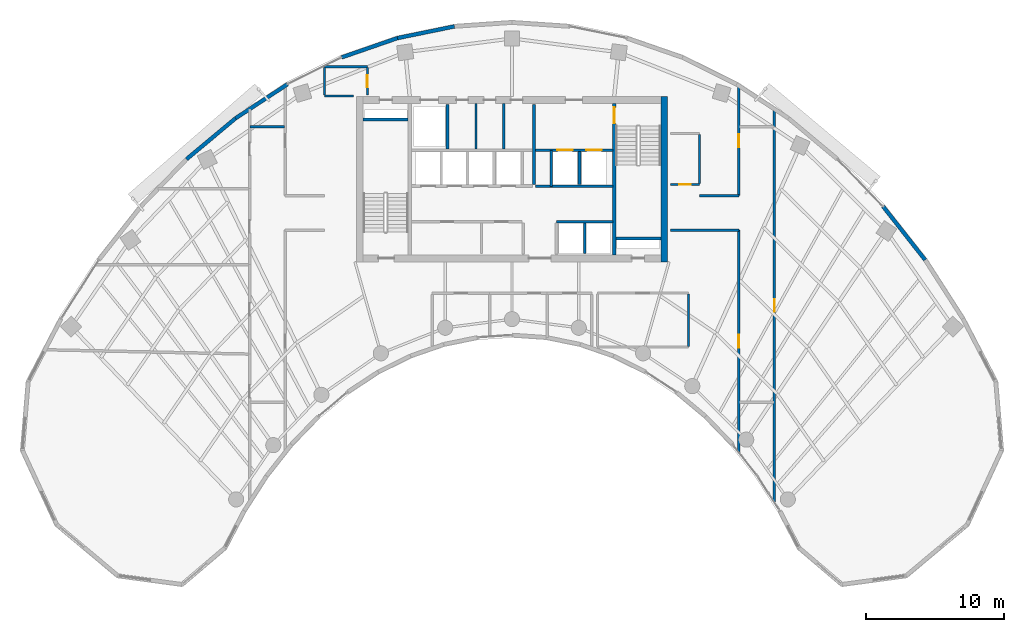
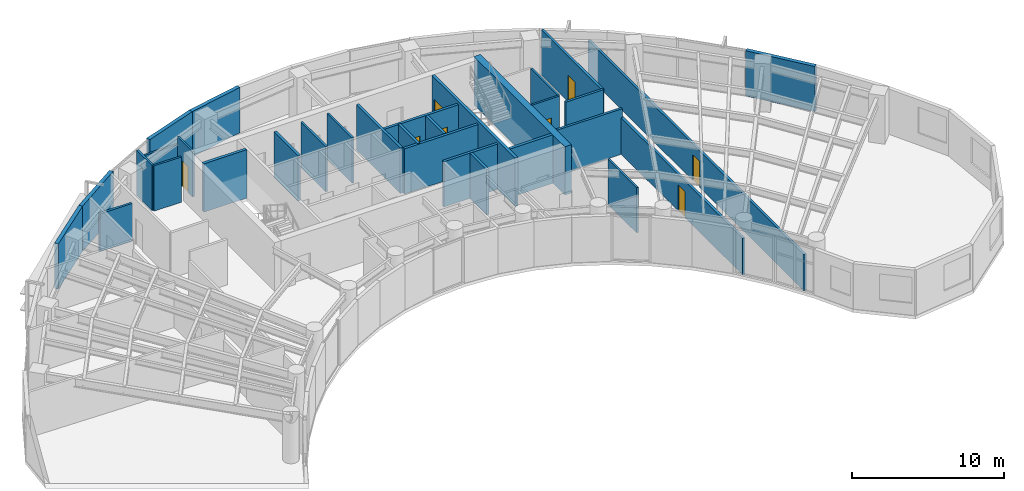
# One storey, part 9 of 13: 32 walls, 8 doors, 8 openings.
"""IFC4 building model written with IfcOpenShell, lengths in metres."""

import ifcopenshell
import ifcopenshell.guid

model = None  # the IFC model being written
_history = None  # IfcOwnerHistory: only IFC2X3 demands one
_inside = {}  # id of a spatial element -> (the spatial element, [elements in it])
_under = {}  # id of a project, library or spatial element -> (it, [spatial elements below it])
_declared = {}  # id of a project -> (the project, [libraries it declares])
_typed = {}  # id of a type object -> (the type object, [elements of that type])
_made_of = {}  # id of a material, layer set ... -> (it, [elements and type objects made of it])


def new_model(schema):
    """Start an empty IFC model of exactly this schema.

    Asked for "IFC4X3", IfcOpenShell would pick the latest addendum, in which some entities
    have other attributes; the version numbers below select the first issue.
    IFC2X3 requires an IfcOwnerHistory on every rooted entity: one is made here for all.
    """
    global model, _history
    if schema == "IFC4X3":
        model = ifcopenshell.file(schema_version=(4, 3, 0, 0))
    else:
        model = ifcopenshell.file(schema=schema)
    _inside.clear()
    _under.clear()
    _declared.clear()
    _typed.clear()
    _made_of.clear()
    _history = None
    if model.schema == "IFC2X3":
        org = make("IfcOrganization", Name="unknown")
        user = make(
            "IfcPersonAndOrganization",
            ThePerson=make("IfcPerson", FamilyName="unknown"),
            TheOrganization=org,
        )
        app = make(
            "IfcApplication",
            ApplicationDeveloper=org,
            Version="unknown",
            ApplicationFullName="unknown",
            ApplicationIdentifier="unknown",
        )
        _history = make(
            "IfcOwnerHistory",
            OwningUser=user,
            OwningApplication=app,
            ChangeAction="ADDED",
            CreationDate=0,
        )
    return model


def make(cls, **values):
    """One entity of the class cls with the attributes given. An attribute that is None is left unset."""
    return model.create_entity(
        cls, **{name: value for name, value in values.items() if value is not None}
    )


def rooted(cls, **values):
    """An entity with a GlobalId (a new one), such as an element, a storey or a relation."""
    return make(cls, GlobalId=ifcopenshell.guid.new(), OwnerHistory=_history, **values)


def si_unit(unit_type, name, prefix=None):
    """IfcSIUnit, for example si_unit("LENGTHUNIT", "METRE", prefix="MILLI")."""
    return make("IfcSIUnit", UnitType=unit_type, Prefix=prefix, Name=name)


def assignment(units):
    """IfcUnitAssignment: the units of a project."""
    return None if units is None else make("IfcUnitAssignment", Units=units)


def point(xyz):
    """IfcCartesianPoint."""
    return None if xyz is None else make("IfcCartesianPoint", Coordinates=xyz)


def direction(xyz):
    """IfcDirection."""
    return None if xyz is None else make("IfcDirection", DirectionRatios=xyz)


def frame(location, z_axis=None, x_axis=None):
    """IfcAxis2Placement3D, a coordinate frame: its origin and axes. An axis left out is left unset."""
    return make(
        "IfcAxis2Placement3D",
        Location=point(location),
        Axis=direction(z_axis),
        RefDirection=direction(x_axis),
    )


def frame_2d(location, x_axis=None):
    """IfcAxis2Placement2D, a coordinate frame in the plane: its origin and x axis."""
    return make(
        "IfcAxis2Placement2D", Location=point(location), RefDirection=direction(x_axis)
    )


def origin():
    """The frame at (0, 0, 0) with its axes left unset."""
    return frame((0.0, 0.0, 0.0))


def place(relative_to, where):
    """IfcLocalPlacement: puts the frame where relative to a parent placement (None: the world)."""
    return make(
        "IfcLocalPlacement", PlacementRelTo=relative_to, RelativePlacement=where
    )


def context(
    kind, dimensions, precision=None, world=None, true_north=None, identifier=None
):
    """IfcGeometricRepresentationContext, for example the 3D "Model" context."""
    return make(
        "IfcGeometricRepresentationContext",
        ContextIdentifier=identifier,
        ContextType=kind,
        CoordinateSpaceDimension=dimensions,
        Precision=precision,
        WorldCoordinateSystem=world,
        TrueNorth=true_north,
    )


def subcontext(parent, identifier, kind, view, scale=None):
    """IfcGeometricRepresentationSubContext, for example "Body" below "Model"."""
    return make(
        "IfcGeometricRepresentationSubContext",
        ContextIdentifier=identifier,
        ContextType=kind,
        ParentContext=parent,
        TargetScale=scale,
        TargetView=view,
    )


def project(units=None, contexts=None):
    """IfcProject with its units and contexts."""
    return rooted(
        "IfcProject",
        Name="project",
        RepresentationContexts=contexts,
        UnitsInContext=assignment(units),
    )


def spatial(cls, under=None, at=None, **own):
    """A site, building, storey or space (cls), placed at a placement, below another one or the project."""
    s = rooted(cls, ObjectPlacement=at, **own)
    if under is not None:
        _under.setdefault(under.id(), (under, []))[1].append(s)
    return s


def profile(cls, at=None, kind="AREA", **sizes):
    """A parametric profile (cls). Its sizes go by their IFC names, for example OverallWidth=200.0."""
    return make(cls, ProfileType=kind, Position=at, **sizes)


def rectangle(**sizes):
    """IfcRectangleProfileDef."""
    return profile("IfcRectangleProfileDef", **sizes)


def extrude(swept, where, along, depth):
    """IfcExtrudedAreaSolid: the profile swept, set in the frame where, extruded along a direction by depth."""
    return make(
        "IfcExtrudedAreaSolid",
        SweptArea=swept,
        Position=where,
        ExtrudedDirection=direction(along),
        Depth=depth,
    )


def shape(context_of_items, identifier, shape_type, items):
    """IfcShapeRepresentation: the items that make up one representation, for example the "Body"."""
    return make(
        "IfcShapeRepresentation",
        ContextOfItems=context_of_items,
        RepresentationIdentifier=identifier,
        RepresentationType=shape_type,
        Items=items,
    )


def source(mapping_origin, context_of_items, identifier, shape_type, items):
    """IfcRepresentationMap: a shape defined once, which mapped items show again and again."""
    return make(
        "IfcRepresentationMap",
        MappingOrigin=mapping_origin,
        MappedRepresentation=shape(context_of_items, identifier, shape_type, items),
    )


def transform(
    local_origin,
    x_axis=None,
    y_axis=None,
    z_axis=None,
    scale=None,
    scale2=None,
    scale3=None,
    uniform=True,
):
    """IfcCartesianTransformationOperator3D, or its non-uniform kind. x_axis, y_axis, z_axis: its Axis1, 2, 3."""
    if uniform:
        return make(
            "IfcCartesianTransformationOperator3D",
            Axis1=direction(x_axis),
            Axis2=direction(y_axis),
            LocalOrigin=point(local_origin),
            Scale=scale,
            Axis3=direction(z_axis),
        )
    return make(
        "IfcCartesianTransformationOperator3DnonUniform",
        Axis1=direction(x_axis),
        Axis2=direction(y_axis),
        LocalOrigin=point(local_origin),
        Scale=scale,
        Axis3=direction(z_axis),
        Scale2=scale2,
        Scale3=scale3,
    )


def mapped(mapping_source, mapping_target):
    """IfcMappedItem: shows the shape of a source again, moved by a transform."""
    return make(
        "IfcMappedItem", MappingSource=mapping_source, MappingTarget=mapping_target
    )


def material(Name=None, Category=None):
    """IfcMaterial."""
    return make("IfcMaterial", Name=Name, Category=Category)


def layer(
    of_material, thickness, ventilated=None, Name=None, Category=None, Priority=None
):
    """IfcMaterialLayer: one layer of a wall or slab, of a material (None: an air gap)."""
    return make(
        "IfcMaterialLayer",
        Material=of_material,
        LayerThickness=thickness,
        IsVentilated=ventilated,
        Name=Name,
        Category=Category,
        Priority=Priority,
    )


def layer_set(layers, Name=None):
    """IfcMaterialLayerSet."""
    return make("IfcMaterialLayerSet", MaterialLayers=layers, LayerSetName=Name)


def made_of(thing, what):
    """Note that an element or type object is made of a material, layer set ...; save() writes the relation."""
    if what is not None:
        _made_of.setdefault(what.id(), (what, []))[1].append(thing)
    return thing


def type_object(cls, material=None, **own):
    """A type object (cls), such as IfcWallType, which elements share."""
    return made_of(rooted(cls, **own), material)


def type_shapes(of_type, sources):
    """Give a type object the sources (RepresentationMaps) that its elements show as mapped items."""
    of_type.RepresentationMaps = sources


def element(
    cls,
    number,
    at=None,
    inside=None,
    cuts=None,
    type_object=None,
    material=None,
    context=None,
    identifier="Body",
    shape_type=None,
    held_by="IfcProductDefinitionShape",
    body=None,
    shapes=None,
    **own,
):
    """One element of the class cls, such as IfcWall. Its Tag is "e" and its number.

    at: its placement. inside: the storey or other place that contains it. cuts: it is an
    opening in that element (IfcRelVoidsElement). A single representation is given by context,
    identifier, shape_type and body (its items); several are given by shapes. held_by: the class
    of the entity that holds the representations. save() writes the other relations.
    """
    e = rooted(cls, Tag="e%d" % number, ObjectPlacement=at, **own)
    if body is not None:
        shapes = [shape(context, identifier, shape_type, body)]
    if shapes is not None:
        e.Representation = make(held_by, Representations=shapes)
    if inside is not None:
        _inside.setdefault(inside.id(), (inside, []))[1].append(e)
    if cuts is not None:
        rooted(
            "IfcRelVoidsElement", RelatingBuildingElement=cuts, RelatedOpeningElement=e
        )
    if type_object is not None:
        _typed.setdefault(type_object.id(), (type_object, []))[1].append(e)
    return made_of(e, material)


def fill(opening, filler):
    """IfcRelFillsElement: the door or window that sits in an opening."""
    return rooted(
        "IfcRelFillsElement",
        RelatingOpeningElement=opening,
        RelatedBuildingElement=filler,
    )


def aggregate(whole, parts):
    """IfcRelAggregates: a whole, such as a stair, and the parts it consists of."""
    return rooted("IfcRelAggregates", RelatingObject=whole, RelatedObjects=parts)


def save(model, path):
    """Write the relations noted so far, then the file.

    IfcRelAggregates (storeys below a building ...), IfcRelContainedInSpatialStructure (elements
    in a storey), IfcRelDefinesByType, IfcRelAssociatesMaterial and IfcRelDeclares: one each for
    every whole, place, type object, material and project.
    """
    for whole, parts in _under.values():
        aggregate(whole, parts)
    for where, things in _inside.values():
        rooted(
            "IfcRelContainedInSpatialStructure",
            RelatedElements=things,
            RelatingStructure=where,
        )
    for kind, things in _typed.values():
        rooted("IfcRelDefinesByType", RelatedObjects=things, RelatingType=kind)
    for what, things in _made_of.values():
        rooted("IfcRelAssociatesMaterial", RelatedObjects=things, RelatingMaterial=what)
    for by, libraries in _declared.values():
        rooted("IfcRelDeclares", RelatingContext=by, RelatedDefinitions=libraries)
    model.write(path)


model = new_model("IFC4")

# Units and contexts
model_context = context("Model", 3, precision=1e-05, world=origin(), true_north=direction((0.0, 1.0)))
body_context = subcontext(model_context, "Body", "Model", "MODEL_VIEW")
ifc_project = project(units=[si_unit("LENGTHUNIT", "METRE"), si_unit("AREAUNIT", "SQUARE_METRE"), si_unit("VOLUMEUNIT", "CUBIC_METRE"), si_unit("PLANEANGLEUNIT", "RADIAN"), si_unit("MASSUNIT", "GRAM", prefix="KILO")], contexts=[model_context])

# Site, building, storey
site_placement = place(None, origin())
site = spatial("IfcSite", under=ifc_project, at=site_placement, CompositionType="ELEMENT")
building_placement = place(site_placement, origin())
building = spatial("IfcBuilding", under=site, at=building_placement, Name="Breltana Convention Tower", CompositionType="ELEMENT")
storey_placement = place(building_placement, frame((0.0, 0.0, 174.0)))
storey = spatial("IfcBuildingStorey", under=building, at=storey_placement, Name="L42", CompositionType="ELEMENT", Elevation=174.0)

# Walls
ifc_material_1 = material(Name="Concrete C60/75", Category="concrete")
ifc_layer_1 = layer(ifc_material_1, 0.5, Name="Concrete C60/75")
ifc_layer_set_1 = layer_set([ifc_layer_1], Name="Concrete C60/75")
wall_type_1 = type_object("IfcWallType", Name="SW-CORE-500", PredefinedType="SHEAR", material=ifc_layer_set_1)
shared_shape_1 = source(origin(), body_context, "Body", "SweptSolid", [
    extrude(rectangle(XDim=12.0, YDim=0.5, at=frame_2d((6.0, 0.0))), origin(), (0.0, 0.0, 1.0), 3.89990234375),
])
wall_1_placement = place(storey_placement, frame((59.050048828125, 60.199951171875, 0.0), z_axis=(0.0, 0.0, 1.0), x_axis=(0.0, 1.0, 0.0)))
element("IfcWall", 1, at=wall_1_placement, inside=storey, type_object=wall_type_1, Name="L42 East Core Shear Wall", PredefinedType="SHEAR", context=body_context, shape_type="MappedRepresentation", body=[
    mapped(shared_shape_1, transform((0.0, 0.0, 0.0), scale=1.0)),
])
ifc_material_2 = material(Name="Concrete C50/60", Category="concrete")
ifc_layer_2 = layer(ifc_material_2, 0.39990234375, Name="Concrete C50/60")
ifc_layer_set_2 = layer_set([ifc_layer_2], Name="Concrete C50/60")
wall_type_2 = type_object("IfcWallType", Name="SW-CORE-400", PredefinedType="SHEAR", material=ifc_layer_set_2)
shared_shape_2 = source(origin(), body_context, "Body", "SweptSolid", [
    extrude(rectangle(XDim=3.27001953125, YDim=0.219970703125, at=frame_2d((1.635009765625, 0.0))), origin(), (0.0, 0.0, 1.0), 3.89990234375),
])
for number, where, z_axis, x_axis, name in (
    (2, (37.199951171875, 70.510009765625, 0.0), (0.0, 0.0, 1.0), (1.0, 0.0, 0.0), "L42 ST-1 Stairwell North Bearing Wall"),
    (3, (55.530029296875, 61.889892578125, 0.0), (0.0, 0.0, 1.0), (1.0, 0.0, 0.0), "L42 ST-2 Stairwell South Bearing Wall"),
):
    element("IfcWall", number, at=place(storey_placement, frame(where, z_axis=z_axis, x_axis=x_axis)), inside=storey, type_object=wall_type_2, Name=name, PredefinedType="SHEAR", context=body_context, shape_type="MappedRepresentation", body=[
        mapped(shared_shape_2, transform((0.0, 0.0, 0.0), scale=1.0)),
    ])

# Wall, opening, door
shared_shape_3 = source(origin(), body_context, "Body", "SweptSolid", [
    extrude(rectangle(XDim=11.0, YDim=0.219970703125, at=frame_2d((5.5, 0.0))), origin(), (0.0, 0.0, 1.0), 3.89990234375),
])
wall_2_placement = place(storey_placement, frame((55.419921875, 60.699951171875, 0.0), z_axis=(0.0, 0.0, 1.0), x_axis=(0.0, 1.0, 0.0)))
wall_2 = element("IfcWall", 4, at=wall_2_placement, inside=storey, type_object=wall_type_2, Name="L42 Core East Stair Spine Wall", PredefinedType="SHEAR", context=body_context, shape_type="MappedRepresentation", body=[
    mapped(shared_shape_3, transform((0.0, 0.0, 0.0), scale=1.0)),
])
opening_1_placement = place(wall_2_placement, frame((9.544921875, 0.0, 0.0)))
opening_1 = element("IfcOpeningElement", 5, at=opening_1_placement, cuts=wall_2, Name="Opening D-11", PredefinedType="OPENING", context=body_context, shape_type="SweptSolid", body=[
    extrude(rectangle(XDim=1.14990234375, YDim=2.14990234375, at=frame_2d((0.574951171875, 1.074951171875))), frame((0.0, 0.1201171875, 0.0), z_axis=(0.0, -1.0, 0.0), x_axis=(1.0, 0.0, 0.0)), (0.0, 0.0, 1.0), 0.239990234375),
])
ifc_material_3 = material(Name="Steel Stair Exit Door", Category="steel")
door_type_1 = type_object("IfcDoorType", Name="DR-FD120-1150", OperationType="NOTDEFINED", PredefinedType="DOOR", material=ifc_material_3)
shared_shape_4 = source(origin(), body_context, "Body", "SweptSolid", [
    extrude(rectangle(XDim=1.14990234375, YDim=2.14990234375, at=frame_2d((0.574951171875, 1.074951171875))), frame((0.0, 0.02490234375, 0.0), z_axis=(0.0, -1.0, 0.0), x_axis=(1.0, 0.0, 0.0)), (0.0, 0.0, 1.0), 0.050048828125),
])
type_shapes(door_type_1, [shared_shape_4])
door_1_placement = place(opening_1_placement, origin())
door_1 = element("IfcDoor", 6, at=door_1_placement, inside=storey, type_object=door_type_1, Name="L42 interior door D-L42-ST2", OperationType="SINGLE_SWING_LEFT", OverallHeight=2.14990234375, OverallWidth=1.14990234375, PredefinedType="DOOR", context=body_context, shape_type="MappedRepresentation", body=[
    mapped(shared_shape_4, transform((0.0, 0.0, 0.0), scale=1.0)),
])
fill(opening_1, door_1)

# Walls
ifc_material_4 = material(Name="Limestone Buff Insulated Wall", Category="masonry")
ifc_layer_3 = layer(ifc_material_4, 0.280029296875, Name="Limestone Buff Insulated Wall")
ifc_layer_set_3 = layer_set([ifc_layer_3], Name="Limestone Buff Insulated Wall")
wall_type_3 = type_object("IfcWallType", Name="WL-EXT-NOSE-280", PredefinedType="SOLIDWALL", material=ifc_layer_set_3)
shared_shape_5 = source(origin(), body_context, "Body", "SweptSolid", [
    extrude(rectangle(XDim=4.921630859375, YDim=0.280029296875, at=frame_2d((2.4609375, 0.0))), origin(), (0.0, 0.0, 1.0), 3.64990234375),
])
wall_3_placement = place(storey_placement, frame((74.936279296875, 64.206298828125, 0.0), z_axis=(0.0, 0.0, 1.0), x_axis=(0.61817639101, -0.786039407153, 0.0)))
element("IfcWall", 7, at=wall_3_placement, inside=storey, type_object=wall_type_3, Name="L42 curved limestone nose wall E32", PredefinedType="SOLIDWALL", context=body_context, shape_type="MappedRepresentation", body=[
    mapped(shared_shape_5, transform((0.0, 0.0, 0.0), scale=1.0)),
])
shared_shape_6 = source(origin(), body_context, "Body", "SweptSolid", [
    extrude(rectangle(XDim=4.633544921875, YDim=0.280029296875, at=frame_2d((2.31689453125, 0.0))), origin(), (0.0, 0.0, 1.0), 3.64990234375),
])
wall_4_placement = place(storey_placement, frame((24.381103515625, 67.64208984375, 0.0), z_axis=(0.0, 0.0, 1.0), x_axis=(0.767910229096, 0.640557475993, 0.0)))
element("IfcWall", 8, at=wall_4_placement, inside=storey, type_object=wall_type_3, Name="L42 curved limestone nose wall E22", PredefinedType="SOLIDWALL", context=body_context, shape_type="MappedRepresentation", body=[
    mapped(shared_shape_6, transform((0.0, 0.0, 0.0), scale=1.0)),
])
shared_shape_7 = source(origin(), body_context, "Body", "SweptSolid", [
    extrude(rectangle(XDim=4.500732421875, YDim=0.280029296875, at=frame_2d((2.25048828125, 0.0))), origin(), (0.0, 0.0, 1.0), 3.64990234375),
])
wall_5_placement = place(storey_placement, frame((27.939208984375, 70.610107421875, 0.0), z_axis=(0.0, 0.0, 1.0), x_axis=(0.835984920737, 0.548752414391, 0.0)))
element("IfcWall", 9, at=wall_5_placement, inside=storey, type_object=wall_type_3, Name="L42 curved limestone nose wall E23", PredefinedType="SOLIDWALL", context=body_context, shape_type="MappedRepresentation", body=[
    mapped(shared_shape_7, transform((0.0, 0.0, 0.0), scale=1.0)),
])
shared_shape_8 = source(origin(), body_context, "Body", "SweptSolid", [
    extrude(rectangle(XDim=4.289794921875, YDim=0.280029296875, at=frame_2d((2.14501953125, 0.0))), origin(), (0.0, 0.0, 1.0), 3.64990234375),
])
wall_6_placement = place(storey_placement, frame((35.629638671875, 75.02685546875, 0.0), z_axis=(0.0, 0.0, 1.0), x_axis=(0.944883859218, 0.3274057003, 0.0)))
element("IfcWall", 10, at=wall_6_placement, inside=storey, type_object=wall_type_3, Name="L42 curved limestone nose wall E24", PredefinedType="SOLIDWALL", context=body_context, shape_type="MappedRepresentation", body=[
    mapped(shared_shape_8, transform((0.0, 0.0, 0.0), scale=1.0)),
])
shared_shape_9 = source(origin(), body_context, "Body", "SweptSolid", [
    extrude(rectangle(XDim=4.223388671875, YDim=0.280029296875, at=frame_2d((2.11181640625, 0.0))), origin(), (0.0, 0.0, 1.0), 3.64990234375),
])
wall_7_placement = place(storey_placement, frame((39.68310546875, 76.431396484375, 0.0), z_axis=(0.0, 0.0, 1.0), x_axis=(0.979615245085, 0.200882979858, 0.0)))
element("IfcWall", 11, at=wall_7_placement, inside=storey, type_object=wall_type_3, Name="L42 curved limestone nose wall E25", PredefinedType="SOLIDWALL", context=body_context, shape_type="MappedRepresentation", body=[
    mapped(shared_shape_9, transform((0.0, 0.0, 0.0), scale=1.0)),
])

# Wall, openings, doors
ifc_material_5 = material(Name="Autoclaved Aerated Concrete Block", Category="concrete")
ifc_layer_4 = layer(ifc_material_5, 0.199951171875, Name="Autoclaved Aerated Concrete Block")
ifc_layer_set_4 = layer_set([ifc_layer_4], Name="Autoclaved Aerated Concrete Block")
wall_type_4 = type_object("IfcWallType", Name="WL-SHAFT-200", PredefinedType="SOLIDWALL", material=ifc_layer_set_4)
shared_shape_10 = source(origin(), body_context, "Body", "SweptSolid", [
    extrude(rectangle(XDim=5.6201171875, YDim=0.199951171875, at=frame_2d((2.81005859375, 0.0))), origin(), (0.0, 0.0, 1.0), 3.64990234375),
])
wall_8_placement = place(storey_placement, frame((49.699951171875, 68.300048828125, 0.0), z_axis=(0.0, 0.0, 1.0), x_axis=(1.0, 0.0, 0.0)))
wall_8 = element("IfcWall", 12, at=wall_8_placement, inside=storey, type_object=wall_type_4, Name="L42 interior partition W-L42-FFL-S", PredefinedType="SOLIDWALL", context=body_context, shape_type="MappedRepresentation", body=[
    mapped(shared_shape_10, transform((0.0, 0.0, 0.0), scale=1.0)),
])
opening_2_placement = place(wall_8_placement, frame((1.60009765625, 0.0, 0.0)))
opening_2 = element("IfcOpeningElement", 13, at=opening_2_placement, cuts=wall_8, Name="Opening LD-03", PredefinedType="OPENING", context=body_context, shape_type="SweptSolid", body=[
    extrude(rectangle(XDim=1.10009765625, YDim=2.14990234375, at=frame_2d((0.550048828125, 1.074951171875))), frame((0.0, 0.10986328125, 0.0), z_axis=(0.0, -1.0, 0.0), x_axis=(1.0, 0.0, 0.0)), (0.0, 0.0, 1.0), 0.219970703125),
])
opening_3_placement = place(wall_8_placement, frame((3.699951171875, 0.0, 0.0)))
opening_3 = element("IfcOpeningElement", 14, at=opening_3_placement, cuts=wall_8, Name="Opening LD-03", PredefinedType="OPENING", context=body_context, shape_type="SweptSolid", body=[
    extrude(rectangle(XDim=1.10009765625, YDim=2.14990234375, at=frame_2d((0.550048828125, 1.074951171875))), frame((0.0, 0.10986328125, 0.0), z_axis=(0.0, -1.0, 0.0), x_axis=(1.0, 0.0, 0.0)), (0.0, 0.0, 1.0), 0.219970703125),
])
ifc_material_6 = material(Name="Stainless Steel Brushed", Category="steel")
door_type_2 = type_object("IfcDoorType", Name="DR-LD-FF-1100", OperationType="DOUBLE_DOOR_SLIDING", PredefinedType="DOOR", material=ifc_material_6)
shared_shape_11 = source(origin(), body_context, "Body", "SweptSolid", [
    extrude(rectangle(XDim=1.10009765625, YDim=2.14990234375, at=frame_2d((0.550048828125, 1.074951171875))), frame((0.0, 0.02490234375, 0.0), z_axis=(0.0, -1.0, 0.0), x_axis=(1.0, 0.0, 0.0)), (0.0, 0.0, 1.0), 0.050048828125),
])
type_shapes(door_type_2, [shared_shape_11])
door_2_placement = place(opening_2_placement, origin())
door_2 = element("IfcDoor", 15, at=door_2_placement, inside=storey, type_object=door_type_2, Name="L42 Lift Landing Door D-L42-LD-FL1", OperationType="DOUBLE_DOOR_SLIDING", OverallHeight=2.14990234375, OverallWidth=1.10009765625, PredefinedType="DOOR", context=body_context, shape_type="MappedRepresentation", body=[
    mapped(shared_shape_11, transform((0.0, 0.0, 0.0), scale=1.0)),
])
fill(opening_2, door_2)
door_3_placement = place(opening_3_placement, origin())
door_3 = element("IfcDoor", 16, at=door_3_placement, inside=storey, type_object=door_type_2, Name="L42 Lift Landing Door D-L42-LD-FL2", OperationType="DOUBLE_DOOR_SLIDING", OverallHeight=2.14990234375, OverallWidth=1.10009765625, PredefinedType="DOOR", context=body_context, shape_type="MappedRepresentation", body=[
    mapped(shared_shape_11, transform((0.0, 0.0, 0.0), scale=1.0)),
])
fill(opening_3, door_3)

# Walls
wall_9_placement = place(storey_placement, frame((49.699951171875, 65.679931640625, 0.0), z_axis=(0.0, 0.0, 1.0), x_axis=(1.0, 0.0, 0.0)))
element("IfcWall", 17, at=wall_9_placement, inside=storey, type_object=wall_type_4, Name="L42 interior partition W-L42-FL-S", PredefinedType="SOLIDWALL", context=body_context, shape_type="MappedRepresentation", body=[
    mapped(shared_shape_10, transform((0.0, 0.0, 0.0), scale=1.0)),
])
shared_shape_12 = source(origin(), body_context, "Body", "SweptSolid", [
    extrude(rectangle(XDim=5.800048828125, YDim=0.199951171875, at=frame_2d((2.89990234375, 0.0))), origin(), (0.0, 0.0, 1.0), 3.64990234375),
])
wall_10_placement = place(storey_placement, frame((49.60009765625, 65.800048828125, 0.0), z_axis=(0.0, 0.0, 1.0), x_axis=(0.0, 1.0, 0.0)))
element("IfcWall", 18, at=wall_10_placement, inside=storey, type_object=wall_type_4, Name="L42 interior partition W-L42-FFL-W", PredefinedType="SOLIDWALL", context=body_context, shape_type="MappedRepresentation", body=[
    mapped(shared_shape_12, transform((0.0, 0.0, 0.0), scale=1.0)),
])
shared_shape_13 = source(origin(), body_context, "Body", "SweptSolid", [
    extrude(rectangle(XDim=2.580078125, YDim=0.199951171875, at=frame_2d((1.2900390625, 0.0))), origin(), (0.0, 0.0, 1.0), 3.64990234375),
])
wall_11_placement = place(storey_placement, frame((50.85009765625, 65.679931640625, 0.0), z_axis=(0.0, 0.0, 1.0), x_axis=(0.0, 1.0, 0.0)))
element("IfcWall", 19, at=wall_11_placement, inside=storey, type_object=wall_type_4, Name="L42 interior partition W-L42-FL-W", PredefinedType="SOLIDWALL", context=body_context, shape_type="MappedRepresentation", body=[
    mapped(shared_shape_13, transform((0.0, 0.0, 0.0), scale=1.0)),
])
shared_shape_14 = source(origin(), body_context, "Body", "SweptSolid", [
    extrude(rectangle(XDim=2.39990234375, YDim=0.199951171875, at=frame_2d((1.199951171875, 0.0))), origin(), (0.0, 0.0, 1.0), 3.64990234375),
])
wall_12_placement = place(storey_placement, frame((52.89990234375, 65.800048828125, 0.0), z_axis=(0.0, 0.0, 1.0), x_axis=(0.0, 1.0, 0.0)))
element("IfcWall", 20, at=wall_12_placement, inside=storey, type_object=wall_type_4, Name="L42 interior partition W-L42-FL-DIV", PredefinedType="SOLIDWALL", context=body_context, shape_type="MappedRepresentation", body=[
    mapped(shared_shape_14, transform((0.0, 0.0, 0.0), scale=1.0)),
])
shared_shape_15 = source(origin(), body_context, "Body", "SweptSolid", [
    extrude(rectangle(XDim=3.2001953125, YDim=0.199951171875, at=frame_2d((1.60009765625, 0.0))), origin(), (0.0, 0.0, 1.0), 3.64990234375),
])
wall_13_placement = place(storey_placement, frame((43.320068359375, 68.39990234375, 0.0), z_axis=(0.0, 0.0, 1.0), x_axis=(0.0, 1.0, 0.0)))
element("IfcWall", 21, at=wall_13_placement, inside=storey, type_object=wall_type_4, Name="L42 interior partition W-L42-SV-E", PredefinedType="SOLIDWALL", context=body_context, shape_type="MappedRepresentation", body=[
    mapped(shared_shape_15, transform((0.0, 0.0, 0.0), scale=1.0)),
])
shared_shape_16 = source(origin(), body_context, "Body", "SweptSolid", [
    extrude(rectangle(XDim=4.10009765625, YDim=0.199951171875, at=frame_2d((2.050048828125, 0.0))), origin(), (0.0, 0.0, 1.0), 3.64990234375),
])
wall_14_placement = place(storey_placement, frame((51.219970703125, 63.10009765625, 0.0), z_axis=(0.0, 0.0, 1.0), x_axis=(1.0, 0.0, 0.0)))
element("IfcWall", 22, at=wall_14_placement, inside=storey, type_object=wall_type_4, Name="L42 interior partition W-L42-SH-X-FRONT", PredefinedType="SOLIDWALL", context=body_context, shape_type="MappedRepresentation", body=[
    mapped(shared_shape_16, transform((0.0, 0.0, 0.0), scale=1.0)),
])
shared_shape_17 = source(origin(), body_context, "Body", "SweptSolid", [
    extrude(rectangle(XDim=2.199951171875, YDim=0.199951171875, at=frame_2d((1.10009765625, 0.0))), origin(), (0.0, 0.0, 1.0), 3.64990234375),
])
wall_15_placement = place(storey_placement, frame((53.280029296875, 60.800048828125, 0.0), z_axis=(0.0, 0.0, 1.0), x_axis=(0.0, 1.0, 0.0)))
element("IfcWall", 23, at=wall_15_placement, inside=storey, type_object=wall_type_4, Name="L42 interior partition W-L42-SH-X-DIV", PredefinedType="SOLIDWALL", context=body_context, shape_type="MappedRepresentation", body=[
    mapped(shared_shape_17, transform((0.0, 0.0, 0.0), scale=1.0)),
])
ifc_material_7 = material(Name="Gypsum Acoustic Drywall Partition")
ifc_layer_5 = layer(ifc_material_7, 0.14990234375, Name="Gypsum Acoustic Drywall Partition")
ifc_layer_set_5 = layer_set([ifc_layer_5], Name="Gypsum Acoustic Drywall Partition")
wall_type_5 = type_object("IfcWallType", Name="WL-PART-150", PredefinedType="PARTITIONING", material=ifc_layer_set_5)
shared_shape_18 = source(origin(), body_context, "Body", "SweptSolid", [
    extrude(rectangle(XDim=3.78515625, YDim=0.14990234375, at=frame_2d((1.892578125, 0.0))), origin(), (0.0, 0.0, 1.0), 3.64990234375),
])
wall_16_placement = place(storey_placement, frame((60.800048828125, 54.0673828125, 0.0), z_axis=(0.0, 0.0, 1.0), x_axis=(0.0, 1.0, 0.0)))
element("IfcWall", 24, at=wall_16_placement, inside=storey, type_object=wall_type_5, Name="L42 interior partition W-L42-PNT-E", PredefinedType="PARTITIONING", context=body_context, shape_type="MappedRepresentation", body=[
    mapped(shared_shape_18, transform((0.0, 0.0, 0.0), scale=1.0)),
])
shared_shape_19 = source(origin(), body_context, "Body", "SweptSolid", [
    extrude(rectangle(XDim=3.280029296875, YDim=0.14990234375, at=frame_2d((1.64013671875, 0.0))), origin(), (0.0, 0.0, 1.0), 3.64990234375),
])
for number, where, z_axis, x_axis, name in (
    (25, (45.39990234375, 68.39990234375, 0.0), (0.0, 0.0, 1.0), (0.0, 1.0, 0.0), "L42 interior partition W-L42-KV-1"),
    (26, (47.39990234375, 68.39990234375, 0.0), (0.0, 0.0, 1.0), (0.0, 1.0, 0.0), "L42 interior partition W-L42-KV-2"),
):
    element("IfcWall", number, at=place(storey_placement, frame(where, z_axis=z_axis, x_axis=x_axis)), inside=storey, type_object=wall_type_5, Name=name, PredefinedType="PARTITIONING", context=body_context, shape_type="MappedRepresentation", body=[
        mapped(shared_shape_19, transform((0.0, 0.0, 0.0), scale=1.0)),
    ])
shared_shape_20 = source(origin(), body_context, "Body", "SweptSolid", [
    extrude(rectangle(XDim=2.10009765625, YDim=0.14990234375, at=frame_2d((1.050048828125, 0.0))), origin(), (0.0, 0.0, 1.0), 3.64990234375),
])
wall_17_placement = place(storey_placement, frame((34.39990234375, 72.219970703125, 0.0), z_axis=(0.0, 0.0, 1.0), x_axis=(1.0, 0.0, 0.0)))
element("IfcWall", 27, at=wall_17_placement, inside=storey, type_object=wall_type_5, Name="L42 interior partition W-L42-CRNE-S", PredefinedType="PARTITIONING", context=body_context, shape_type="MappedRepresentation", body=[
    mapped(shared_shape_20, transform((0.0, 0.0, 0.0), scale=1.0)),
])

# Wall, opening, door
wall_18_placement = place(storey_placement, frame((59.5, 65.800048828125, 0.0), z_axis=(0.0, 0.0, 1.0), x_axis=(1.0, 0.0, 0.0)))
wall_18 = element("IfcWall", 28, at=wall_18_placement, inside=storey, type_object=wall_type_5, Name="L42 interior partition W-L42-CRSE-S", PredefinedType="PARTITIONING", context=body_context, shape_type="MappedRepresentation", body=[
    mapped(shared_shape_20, transform((0.0, 0.0, 0.0), scale=1.0)),
])
opening_4_placement = place(wall_18_placement, frame((0.625, 0.0, 0.0)))
opening_4 = element("IfcOpeningElement", 29, at=opening_4_placement, cuts=wall_18, Name="Opening D-20", PredefinedType="OPENING", context=body_context, shape_type="SweptSolid", body=[
    extrude(rectangle(XDim=0.85009765625, YDim=2.10009765625, at=frame_2d((0.425048828125, 1.050048828125))), frame((0.0, 0.0849609375, 0.0), z_axis=(0.0, -1.0, 0.0), x_axis=(1.0, 0.0, 0.0)), (0.0, 0.0, 1.0), 0.169921875),
])
ifc_material_8 = material(Name="Steel Closet Fire Door", Category="steel")
door_type_3 = type_object("IfcDoorType", Name="DR-FD60-850", OperationType="NOTDEFINED", PredefinedType="DOOR", material=ifc_material_8)
shared_shape_21 = source(origin(), body_context, "Body", "SweptSolid", [
    extrude(rectangle(XDim=0.85009765625, YDim=2.10009765625, at=frame_2d((0.425048828125, 1.050048828125))), frame((0.0, 0.02490234375, 0.0), z_axis=(0.0, -1.0, 0.0), x_axis=(1.0, 0.0, 0.0)), (0.0, 0.0, 1.0), 0.050048828125),
])
type_shapes(door_type_3, [shared_shape_21])
door_4_placement = place(opening_4_placement, origin())
door_4 = element("IfcDoor", 30, at=door_4_placement, inside=storey, type_object=door_type_3, Name="L42 interior door D-L42-CRSE", OperationType="SINGLE_SWING_RIGHT", OverallHeight=2.10009765625, OverallWidth=0.85009765625, PredefinedType="DOOR", context=body_context, shape_type="MappedRepresentation", body=[
    mapped(shared_shape_21, transform((0.0, 0.0, 0.0), scale=1.0)),
])
fill(opening_4, door_4)

# Wall
shared_shape_22 = source(origin(), body_context, "Body", "SweptSolid", [
    extrude(rectangle(XDim=1.994873046875, YDim=0.14990234375, at=frame_2d((0.99755859375, 0.0))), origin(), (0.0, 0.0, 1.0), 3.64990234375),
])
wall_19_placement = place(storey_placement, frame((34.39990234375, 72.28759765625, 0.0), z_axis=(0.0, 0.0, 1.0), x_axis=(0.0, 1.0, 0.0)))
element("IfcWall", 31, at=wall_19_placement, inside=storey, type_object=wall_type_5, Name="L42 interior partition W-L42-CRNE-W", PredefinedType="PARTITIONING", context=body_context, shape_type="MappedRepresentation", body=[
    mapped(shared_shape_22, transform((0.0, 0.0, 0.0), scale=1.0)),
])

# Wall, opening, door
shared_shape_23 = source(origin(), body_context, "Body", "SweptSolid", [
    extrude(rectangle(XDim=1.982421875, YDim=0.14990234375, at=frame_2d((0.9912109375, 0.0))), origin(), (0.0, 0.0, 1.0), 3.64990234375),
])
wall_20_placement = place(storey_placement, frame((37.5, 72.300048828125, 0.0), z_axis=(0.0, 0.0, 1.0), x_axis=(0.0, 1.0, 0.0)))
wall_20 = element("IfcWall", 32, at=wall_20_placement, inside=storey, type_object=wall_type_5, Name="L42 interior partition W-L42-CRNE-E", PredefinedType="PARTITIONING", context=body_context, shape_type="MappedRepresentation", body=[
    mapped(shared_shape_23, transform((0.0, 0.0, 0.0), scale=1.0)),
])
opening_5_placement = place(wall_20_placement, frame((0.56640625, 0.0, 0.0)))
opening_5 = element("IfcOpeningElement", 33, at=opening_5_placement, cuts=wall_20, Name="Opening D-20", PredefinedType="OPENING", context=body_context, shape_type="SweptSolid", body=[
    extrude(rectangle(XDim=0.85009765625, YDim=2.10009765625, at=frame_2d((0.425048828125, 1.050048828125))), frame((0.0, 0.0849609375, 0.0), z_axis=(0.0, -1.0, 0.0), x_axis=(1.0, 0.0, 0.0)), (0.0, 0.0, 1.0), 0.169921875),
])
door_5_placement = place(opening_5_placement, origin())
door_5 = element("IfcDoor", 34, at=door_5_placement, inside=storey, type_object=door_type_3, Name="L42 interior door D-L42-CRNE", OperationType="SINGLE_SWING_LEFT", OverallHeight=2.10009765625, OverallWidth=0.85009765625, PredefinedType="DOOR", context=body_context, shape_type="MappedRepresentation", body=[
    mapped(shared_shape_21, transform((0.0, 0.0, 0.0), scale=1.0)),
])
fill(opening_5, door_5)

# Walls
shared_shape_24 = source(origin(), body_context, "Body", "SweptSolid", [
    extrude(rectangle(XDim=3.10009765625, YDim=0.14990234375, at=frame_2d((1.550048828125, 0.0))), origin(), (0.0, 0.0, 1.0), 3.02197265625),
])
wall_21_placement = place(storey_placement, frame((34.39990234375, 74.35009765625, 0.0), z_axis=(0.0, 0.0, 1.0), x_axis=(1.0, 0.0, 0.0)))
element("IfcWall", 35, at=wall_21_placement, inside=storey, type_object=wall_type_5, Name="L42 interior partition W-L42-CRNE-N", PredefinedType="PARTITIONING", context=body_context, shape_type="MappedRepresentation", body=[
    mapped(shared_shape_24, transform((0.0, 0.0, 0.0), scale=1.0)),
])
shared_shape_25 = source(origin(), body_context, "Body", "SweptSolid", [
    extrude(rectangle(XDim=3.565185546875, YDim=0.14990234375, at=frame_2d((1.78271484375, 0.0))), origin(), (0.0, 0.0, 1.0), 3.64990234375),
])
wall_22_placement = place(storey_placement, frame((61.60009765625, 65.867431640625, 0.0), z_axis=(0.0, 0.0, 1.0), x_axis=(0.0, 1.0, 0.0)))
element("IfcWall", 36, at=wall_22_placement, inside=storey, type_object=wall_type_5, Name="L42 interior partition W-L42-CRSE-E", PredefinedType="PARTITIONING", context=body_context, shape_type="MappedRepresentation", body=[
    mapped(shared_shape_25, transform((0.0, 0.0, 0.0), scale=1.0)),
])
ifc_material_9 = material(Name="Moisture-Resistant Gypsum Chase Wall")
ifc_layer_6 = layer(ifc_material_9, 0.179931640625, Name="Moisture-Resistant Gypsum Chase Wall")
ifc_layer_set_6 = layer_set([ifc_layer_6], Name="Moisture-Resistant Gypsum Chase Wall")
wall_type_6 = type_object("IfcWallType", Name="WL-PLUMB-180", PredefinedType="PLUMBINGWALL", material=ifc_layer_set_6)
shared_shape_26 = source(origin(), body_context, "Body", "SweptSolid", [
    extrude(rectangle(XDim=2.5, YDim=0.179931640625, at=frame_2d((1.25, 0.0))), origin(), (0.0, 0.0, 1.0), 3.02197265625),
])
wall_23_placement = place(storey_placement, frame((29.0, 70.0, 0.0), z_axis=(0.0, 0.0, 1.0), x_axis=(1.0, 0.0, 0.0)))
element("IfcWall", 37, at=wall_23_placement, inside=storey, type_object=wall_type_6, Name="L42 interior partition W-L42-CORNW-N", PredefinedType="PLUMBINGWALL", context=body_context, shape_type="MappedRepresentation", body=[
    mapped(shared_shape_26, transform((0.0, 0.0, 0.0), scale=1.0)),
])

# Wall, opening, door
shared_shape_27 = source(origin(), body_context, "Body", "SweptSolid", [
    extrude(rectangle(XDim=28.503173828125, YDim=0.179931640625, at=frame_2d((14.25146484375, 0.0))), origin(), (0.0, 0.0, 1.0), 2.94189453125),
])
wall_24_placement = place(storey_placement, frame((67.0400390625, 42.764892578125, 0.0), z_axis=(0.0, 0.0, 1.0), x_axis=(0.0, 1.0, 0.0)))
wall_24 = element("IfcWall", 38, at=wall_24_placement, inside=storey, type_object=wall_type_6, Name="L42 interior partition W-L42-ZE1-W", PredefinedType="PLUMBINGWALL", context=body_context, shape_type="MappedRepresentation", body=[
    mapped(shared_shape_27, transform((0.0, 0.0, 0.0), scale=1.0)),
])
opening_6_placement = place(wall_24_placement, frame((13.801513671875, 0.0, 0.0)))
opening_6 = element("IfcOpeningElement", 39, at=opening_6_placement, cuts=wall_24, Name="Opening D-19", PredefinedType="OPENING", context=body_context, shape_type="SweptSolid", body=[
    extrude(rectangle(XDim=0.89990234375, YDim=2.080078125, at=frame_2d((0.449951171875, 1.0400390625))), frame((0.0, 0.10009765625, 0.0), z_axis=(0.0, -1.0, 0.0), x_axis=(1.0, 0.0, 0.0)), (0.0, 0.0, 1.0), 0.199951171875),
])
ifc_material_10 = material(Name="Timber Moisture-Resistant Door", Category="wood")
door_type_4 = type_object("IfcDoorType", Name="DR-WC-900", OperationType="NOTDEFINED", PredefinedType="DOOR", material=ifc_material_10)
shared_shape_28 = source(origin(), body_context, "Body", "SweptSolid", [
    extrude(rectangle(XDim=0.89990234375, YDim=2.080078125, at=frame_2d((0.449951171875, 1.0400390625))), frame((0.0, 0.02490234375, 0.0), z_axis=(0.0, -1.0, 0.0), x_axis=(1.0, 0.0, 0.0)), (0.0, 0.0, 1.0), 0.050048828125),
])
type_shapes(door_type_4, [shared_shape_28])
door_6_placement = place(opening_6_placement, origin())
door_6 = element("IfcDoor", 40, at=door_6_placement, inside=storey, type_object=door_type_4, Name="L42 interior door D-L42-ZE1", OperationType="SINGLE_SWING_LEFT", OverallHeight=2.080078125, OverallWidth=0.89990234375, PredefinedType="DOOR", context=body_context, shape_type="MappedRepresentation", body=[
    mapped(shared_shape_28, transform((0.0, 0.0, 0.0), scale=1.0)),
])
fill(opening_6, door_6)

shared_shape_29 = source(origin(), body_context, "Body", "SweptSolid", [
    extrude(rectangle(XDim=16.1064453125, YDim=0.179931640625, at=frame_2d((8.05322265625, 0.0))), origin(), (0.0, 0.0, 1.0), 2.94189453125),
])
wall_25_placement = place(storey_placement, frame((64.4599609375, 46.3935546875, 0.0), z_axis=(0.0, 0.0, 1.0), x_axis=(0.0, 1.0, 0.0)))
wall_25 = element("IfcWall", 41, at=wall_25_placement, inside=storey, type_object=wall_type_6, Name="L42 interior partition W-L42-ZME1-D", PredefinedType="PLUMBINGWALL", context=body_context, shape_type="MappedRepresentation", body=[
    mapped(shared_shape_29, transform((0.0, 0.0, 0.0), scale=1.0)),
])
opening_7_placement = place(wall_25_placement, frame((7.578125, 0.0, 0.0)))
opening_7 = element("IfcOpeningElement", 42, at=opening_7_placement, cuts=wall_25, Name="Opening D-17", PredefinedType="OPENING", context=body_context, shape_type="SweptSolid", body=[
    extrude(rectangle(XDim=0.949951171875, YDim=2.10009765625, at=frame_2d((0.47509765625, 1.050048828125))), frame((0.0, 0.10009765625, 0.0), z_axis=(0.0, -1.0, 0.0), x_axis=(1.0, 0.0, 0.0)), (0.0, 0.0, 1.0), 0.199951171875),
])
ifc_material_11 = material(Name="Timber Oak Veneer Door", Category="wood")
door_type_5 = type_object("IfcDoorType", Name="DR-INT-950", OperationType="NOTDEFINED", PredefinedType="DOOR", material=ifc_material_11)
shared_shape_30 = source(origin(), body_context, "Body", "SweptSolid", [
    extrude(rectangle(XDim=0.949951171875, YDim=2.10009765625, at=frame_2d((0.47509765625, 1.050048828125))), frame((0.0, 0.02490234375, 0.0), z_axis=(0.0, -1.0, 0.0), x_axis=(1.0, 0.0, 0.0)), (0.0, 0.0, 1.0), 0.050048828125),
])
type_shapes(door_type_5, [shared_shape_30])
door_7_placement = place(opening_7_placement, origin())
door_7 = element("IfcDoor", 43, at=door_7_placement, inside=storey, type_object=door_type_5, Name="L42 interior door D-L42-ZME1", OperationType="SINGLE_SWING_RIGHT", OverallHeight=2.10009765625, OverallWidth=0.949951171875, PredefinedType="DOOR", context=body_context, shape_type="MappedRepresentation", body=[
    mapped(shared_shape_30, transform((0.0, 0.0, 0.0), scale=1.0)),
])
fill(opening_7, door_7)

# Wall
shared_shape_31 = source(origin(), body_context, "Body", "SweptSolid", [
    extrude(rectangle(XDim=2.85986328125, YDim=0.179931640625, at=frame_2d((1.429931640625, 0.0))), origin(), (0.0, 0.0, 1.0), 3.64990234375),
])
wall_26_placement = place(storey_placement, frame((61.60009765625, 65.0, 0.0), z_axis=(0.0, 0.0, 1.0), x_axis=(1.0, 0.0, 0.0)))
element("IfcWall", 44, at=wall_26_placement, inside=storey, type_object=wall_type_6, Name="L42 interior partition W-L42-ZME2-TS", PredefinedType="PLUMBINGWALL", context=body_context, shape_type="MappedRepresentation", body=[
    mapped(shared_shape_31, transform((0.0, 0.0, 0.0), scale=1.0)),
])

# Wall, opening, door
shared_shape_32 = source(origin(), body_context, "Body", "SweptSolid", [
    extrude(rectangle(XDim=7.9619140625, YDim=0.179931640625, at=frame_2d((3.98095703125, 0.0))), origin(), (0.0, 0.0, 1.0), 3.64990234375),
])
wall_27_placement = place(storey_placement, frame((64.4599609375, 65.0, 0.0), z_axis=(0.0, 0.0, 1.0), x_axis=(0.0, 1.0, 0.0)))
wall_27 = element("IfcWall", 45, at=wall_27_placement, inside=storey, type_object=wall_type_6, Name="L42 interior partition W-L42-ZME2-D", PredefinedType="PLUMBINGWALL", context=body_context, shape_type="MappedRepresentation", body=[
    mapped(shared_shape_32, transform((0.0, 0.0, 0.0), scale=1.0)),
])
opening_8_placement = place(wall_27_placement, frame((3.505859375, 0.0, 0.0)))
opening_8 = element("IfcOpeningElement", 46, at=opening_8_placement, cuts=wall_27, Name="Opening D-17", PredefinedType="OPENING", context=body_context, shape_type="SweptSolid", body=[
    extrude(rectangle(XDim=0.949951171875, YDim=2.10009765625, at=frame_2d((0.47509765625, 1.050048828125))), frame((0.0, 0.10009765625, 0.0), z_axis=(0.0, -1.0, 0.0), x_axis=(1.0, 0.0, 0.0)), (0.0, 0.0, 1.0), 0.199951171875),
])
door_8_placement = place(opening_8_placement, origin())
door_8 = element("IfcDoor", 47, at=door_8_placement, inside=storey, type_object=door_type_5, Name="L42 interior door D-L42-ZME2", OperationType="SINGLE_SWING_LEFT", OverallHeight=2.10009765625, OverallWidth=0.949951171875, PredefinedType="DOOR", context=body_context, shape_type="MappedRepresentation", body=[
    mapped(shared_shape_30, transform((0.0, 0.0, 0.0), scale=1.0)),
])
fill(opening_8, door_8)

# Wall
shared_shape_33 = source(origin(), body_context, "Body", "SweptSolid", [
    extrude(rectangle(XDim=4.9599609375, YDim=0.179931640625, at=frame_2d((2.47998046875, 0.0))), origin(), (0.0, 0.0, 1.0), 3.64990234375),
])
wall_28_placement = place(storey_placement, frame((59.5, 62.5, 0.0), z_axis=(0.0, 0.0, 1.0), x_axis=(1.0, 0.0, 0.0)))
element("IfcWall", 48, at=wall_28_placement, inside=storey, type_object=wall_type_6, Name="L42 interior partition W-L42-ZME1-TN", PredefinedType="PLUMBINGWALL", context=body_context, shape_type="MappedRepresentation", body=[
    mapped(shared_shape_33, transform((0.0, 0.0, 0.0), scale=1.0)),
])

save(model, "model.ifc")
